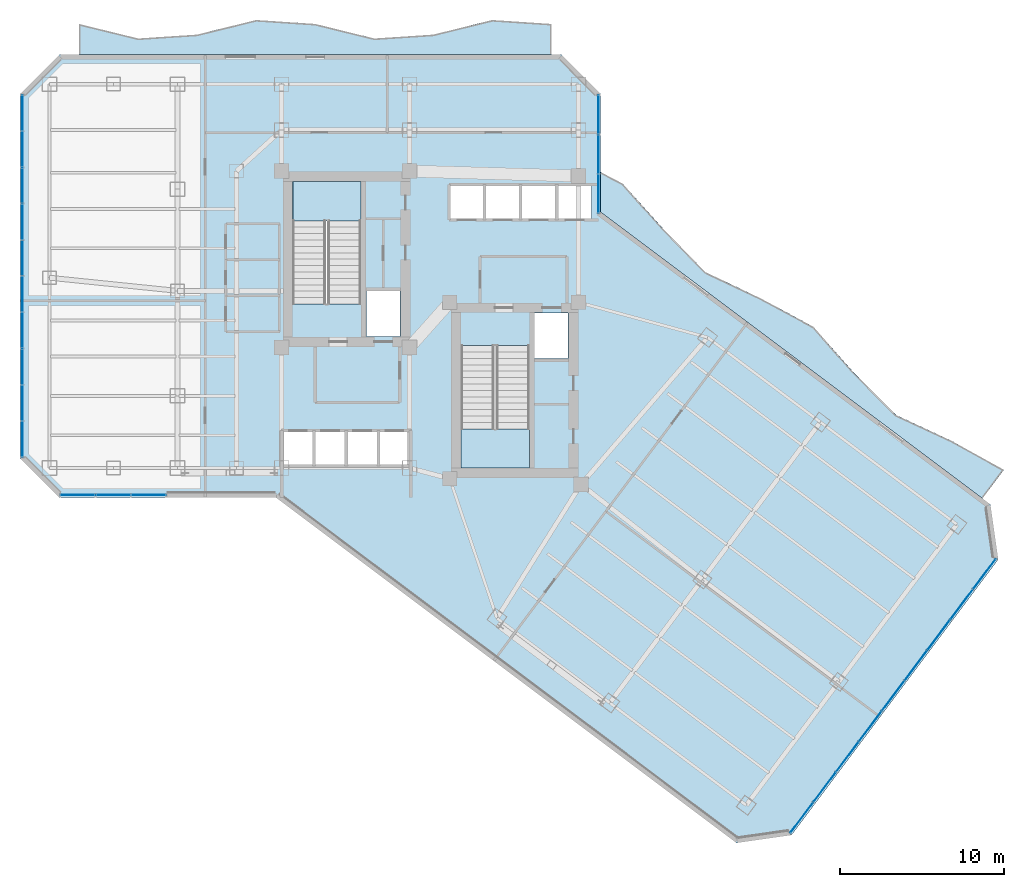
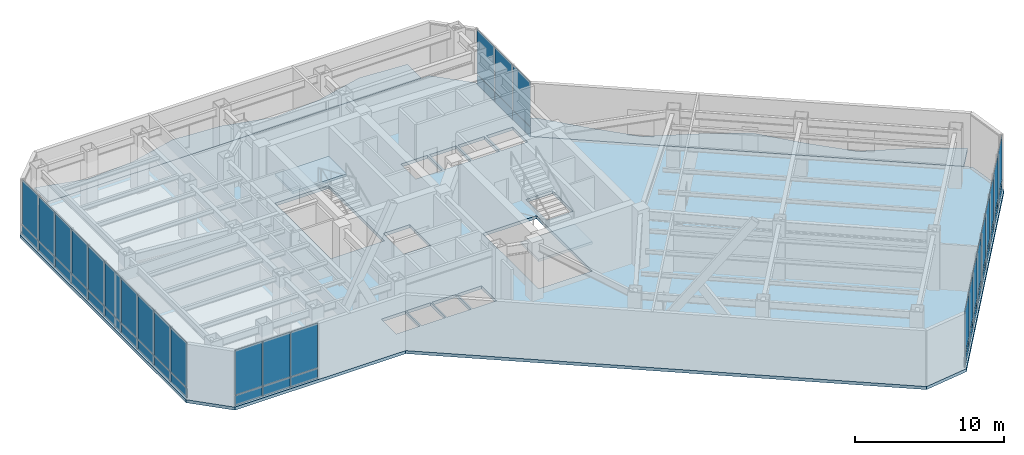
# One storey, part 18 of 27: 50 plates, 5 slabs, 6 elements without a shape of their own.
"""IFC4 building model written with IfcOpenShell, lengths in metres."""

from ifc_helpers import new_model, si_unit, direction, frame, origin, origin_2d, place, context, subcontext, project, spatial, polyline, rectangle, outline, extrude, material, layer, layer_set, type_object, element, aggregate, save


model = new_model("IFC4")

# Units and contexts
model_context = context("Model", 3, precision=1e-05, world=origin(), true_north=direction((0.0, 1.0)))
body_context = subcontext(model_context, "Body", "Model", "MODEL_VIEW")
ifc_project = project(units=[si_unit("LENGTHUNIT", "METRE"), si_unit("AREAUNIT", "SQUARE_METRE"), si_unit("VOLUMEUNIT", "CUBIC_METRE"), si_unit("PLANEANGLEUNIT", "RADIAN"), si_unit("MASSUNIT", "GRAM", prefix="KILO")], contexts=[model_context])

# Site, building, storey
site_placement = place(None, origin())
site = spatial("IfcSite", under=ifc_project, at=site_placement, CompositionType="ELEMENT")
building_placement = place(site_placement, origin())
building = spatial("IfcBuilding", under=site, at=building_placement, Name="Hatsunagi Terrace Concourse", CompositionType="ELEMENT")
storey_placement = place(building_placement, frame((0.0, 0.0, 96.449951171875)))
storey = spatial("IfcBuildingStorey", under=building, at=storey_placement, Name="L25", CompositionType="ELEMENT", Elevation=96.449951171875)

# Curtain wall, plates
ifc_material_1 = material(Name="Anodised Aluminium Alloy 6063-T5", Category="aluminium")
ifc_layer_1 = layer(ifc_material_1, 0.199951171875)
ifc_layer_set_1 = layer_set([ifc_layer_1], Name="SkyLobbyAtrium_CW05")
curtain_wall_type = type_object("IfcCurtainWallType", Name="SkyLobbyAtrium_CW05", PredefinedType="NOTDEFINED", material=ifc_layer_set_1)
curtain_wall_1_placement = place(storey_placement, origin())
curtain_wall_1 = element("IfcCurtainWall", 1, at=curtain_wall_1_placement, inside=storey, type_object=curtain_wall_type, Name="Unitised Curtain Wall CW-05 CW-L25-03", PredefinedType="NOTDEFINED")
ifc_material_2 = material(Name="Warm Terracotta Ceramic Spandrel Panel", Category="masonry")
ifc_layer_2 = layer(ifc_material_2, 0.031982421875)
ifc_layer_set_2 = layer_set([ifc_layer_2], Name="CurtainWallSpandrelPanel_32")
plate_type_1 = type_object("IfcPlateType", Name="CurtainWallSpandrelPanel_32", PredefinedType="SHEET", material=ifc_layer_set_2)
plate_1_placement = place(storey_placement, frame((68.39697265625, 18.72998046875, 0.030029296875), z_axis=(0.0, 0.0, 1.0), x_axis=(-0.599969314634, -0.800023013105, 0.0)))
plate_1 = element("IfcPlate", 2, at=plate_1_placement, type_object=plate_type_1, Name="Terracotta Spandrel Panel SPN-01", PredefinedType="SHEET", context=body_context, shape_type="SweptSolid", body=[
    extrude(rectangle(XDim=2.264892578125, YDim=0.031982421875, at=origin_2d()), origin(), (0.0, 0.0, 1.0), 0.7900390625),
])
plate_2_placement = place(storey_placement, frame((67.0048828125, 16.873046875, 0.030029296875), z_axis=(0.0, 0.0, 1.0), x_axis=(-0.599969314634, -0.800023013105, 0.0)))
plate_2 = element("IfcPlate", 3, at=plate_2_placement, type_object=plate_type_1, Name="Terracotta Spandrel Panel SPN-01", PredefinedType="SHEET", context=body_context, shape_type="SweptSolid", body=[
    extrude(rectangle(XDim=2.264892578125, YDim=0.031982421875, at=origin_2d()), origin(), (0.0, 0.0, 1.0), 0.7900390625),
])
plate_3_placement = place(storey_placement, frame((65.612060546875, 15.01708984375, 0.030029296875), z_axis=(0.0, 0.0, 1.0), x_axis=(-0.599969314634, -0.800023013105, 0.0)))
plate_3 = element("IfcPlate", 4, at=plate_3_placement, type_object=plate_type_1, Name="Terracotta Spandrel Panel SPN-01", PredefinedType="SHEET", context=body_context, shape_type="SweptSolid", body=[
    extrude(rectangle(XDim=2.264892578125, YDim=0.031982421875, at=origin_2d()), origin(), (0.0, 0.0, 1.0), 0.7900390625),
])
plate_4_placement = place(storey_placement, frame((64.219970703125, 13.159912109375, 0.030029296875), z_axis=(0.0, 0.0, 1.0), x_axis=(-0.599969314634, -0.800023013105, 0.0)))
plate_4 = element("IfcPlate", 5, at=plate_4_placement, type_object=plate_type_1, Name="Terracotta Spandrel Panel SPN-01", PredefinedType="SHEET", context=body_context, shape_type="SweptSolid", body=[
    extrude(rectangle(XDim=2.264892578125, YDim=0.031982421875, at=origin_2d()), origin(), (0.0, 0.0, 1.0), 0.7900390625),
])
plate_5_placement = place(storey_placement, frame((62.827880859375, 11.303955078125, 0.030029296875), z_axis=(0.0, 0.0, 1.0), x_axis=(-0.599969314634, -0.800023013105, 0.0)))
plate_5 = element("IfcPlate", 6, at=plate_5_placement, type_object=plate_type_1, Name="Terracotta Spandrel Panel SPN-01", PredefinedType="SHEET", context=body_context, shape_type="SweptSolid", body=[
    extrude(rectangle(XDim=2.264892578125, YDim=0.031982421875, at=origin_2d()), origin(), (0.0, 0.0, 1.0), 0.7900390625),
])
plate_6_placement = place(storey_placement, frame((61.43603515625, 9.447998046875, 0.030029296875), z_axis=(0.0, 0.0, 1.0), x_axis=(-0.599969314634, -0.800023013105, 0.0)))
plate_6 = element("IfcPlate", 7, at=plate_6_placement, type_object=plate_type_1, Name="Terracotta Spandrel Panel SPN-01", PredefinedType="SHEET", context=body_context, shape_type="SweptSolid", body=[
    extrude(rectangle(XDim=2.264892578125, YDim=0.031982421875, at=origin_2d()), origin(), (0.0, 0.0, 1.0), 0.7900390625),
])
plate_7_placement = place(storey_placement, frame((60.0439453125, 7.591064453125, 0.030029296875), z_axis=(0.0, 0.0, 1.0), x_axis=(-0.599969314634, -0.800023013105, 0.0)))
plate_7 = element("IfcPlate", 8, at=plate_7_placement, type_object=plate_type_1, Name="Terracotta Spandrel Panel SPN-01", PredefinedType="SHEET", context=body_context, shape_type="SweptSolid", body=[
    extrude(rectangle(XDim=2.264892578125, YDim=0.031982421875, at=origin_2d()), origin(), (0.0, 0.0, 1.0), 0.7900390625),
])
plate_8_placement = place(storey_placement, frame((58.65087890625, 5.735107421875, 0.030029296875), z_axis=(0.0, 0.0, 1.0), x_axis=(-0.599969314634, -0.800023013105, 0.0)))
plate_8 = element("IfcPlate", 9, at=plate_8_placement, type_object=plate_type_1, Name="Terracotta Spandrel Panel SPN-01", PredefinedType="SHEET", context=body_context, shape_type="SweptSolid", body=[
    extrude(rectangle(XDim=2.264892578125, YDim=0.031982421875, at=origin_2d()), origin(), (0.0, 0.0, 1.0), 0.7900390625),
])
plate_9_placement = place(storey_placement, frame((57.259033203125, 3.8779296875, 0.030029296875), z_axis=(0.0, 0.0, 1.0), x_axis=(-0.599969314634, -0.800023013105, 0.0)))
plate_9 = element("IfcPlate", 10, at=plate_9_placement, type_object=plate_type_1, Name="Terracotta Spandrel Panel SPN-01", PredefinedType="SHEET", context=body_context, shape_type="SweptSolid", body=[
    extrude(rectangle(XDim=2.264892578125, YDim=0.031982421875, at=origin_2d()), origin(), (0.0, 0.0, 1.0), 0.7900390625),
])

curtain_wall_2_placement = place(storey_placement, origin())
curtain_wall_2 = element("IfcCurtainWall", 11, at=curtain_wall_2_placement, inside=storey, type_object=curtain_wall_type, Name="Unitised Curtain Wall CW-05 CW-L25-07", PredefinedType="NOTDEFINED")
plate_10_placement = place(storey_placement, frame((17.426025390625, 23.5400390625, 0.030029296875), z_axis=(0.0, 0.0, 1.0), x_axis=(-1.0, 0.0, 0.0)))
plate_10 = element("IfcPlate", 12, at=plate_10_placement, type_object=plate_type_1, Name="Terracotta Spandrel Panel SPN-01", PredefinedType="SHEET", context=body_context, shape_type="SweptSolid", body=[
    extrude(rectangle(XDim=2.092041015625, YDim=0.031982421875, at=origin_2d()), origin(), (0.0, 0.0, 1.0), 0.7900390625),
])
plate_11_placement = place(storey_placement, frame((15.279052734375, 23.5400390625, 0.030029296875), z_axis=(0.0, 0.0, 1.0), x_axis=(-1.0, 0.0, 0.0)))
plate_11 = element("IfcPlate", 13, at=plate_11_placement, type_object=plate_type_1, Name="Terracotta Spandrel Panel SPN-01", PredefinedType="SHEET", context=body_context, shape_type="SweptSolid", body=[
    extrude(rectangle(XDim=2.092041015625, YDim=0.031982421875, at=origin_2d()), origin(), (0.0, 0.0, 1.0), 0.7900390625),
])
plate_12_placement = place(storey_placement, frame((13.132080078125, 23.5400390625, 0.030029296875), z_axis=(0.0, 0.0, 1.0), x_axis=(-1.0, 0.0, 0.0)))
plate_12 = element("IfcPlate", 14, at=plate_12_placement, type_object=plate_type_1, Name="Terracotta Spandrel Panel SPN-01", PredefinedType="SHEET", context=body_context, shape_type="SweptSolid", body=[
    extrude(rectangle(XDim=2.092041015625, YDim=0.031982421875, at=origin_2d()), origin(), (0.0, 0.0, 1.0), 0.7900390625),
])

curtain_wall_3_placement = place(storey_placement, origin())
curtain_wall_3 = element("IfcCurtainWall", 15, at=curtain_wall_3_placement, inside=storey, type_object=curtain_wall_type, Name="Unitised Curtain Wall CW-05 CW-L25-09", PredefinedType="NOTDEFINED")
plate_13_placement = place(storey_placement, frame((9.739990234375, 26.9619140625, 0.030029296875), z_axis=(0.0, 0.0, 1.0), x_axis=(0.0, 1.0, 0.0)))
plate_13 = element("IfcPlate", 16, at=plate_13_placement, type_object=plate_type_1, Name="Terracotta Spandrel Panel SPN-01", PredefinedType="SHEET", context=body_context, shape_type="SweptSolid", body=[
    extrude(rectangle(XDim=2.153076171875, YDim=0.031982421875, at=origin_2d()), origin(), (0.0, 0.0, 1.0), 0.7900390625),
])
plate_14_placement = place(storey_placement, frame((9.739990234375, 29.1708984375, 0.030029296875), z_axis=(0.0, 0.0, 1.0), x_axis=(0.0, 1.0, 0.0)))
plate_14 = element("IfcPlate", 17, at=plate_14_placement, type_object=plate_type_1, Name="Terracotta Spandrel Panel SPN-01", PredefinedType="SHEET", context=body_context, shape_type="SweptSolid", body=[
    extrude(rectangle(XDim=2.153076171875, YDim=0.031982421875, at=origin_2d()), origin(), (0.0, 0.0, 1.0), 0.7900390625),
])
plate_15_placement = place(storey_placement, frame((9.739990234375, 31.37890625, 0.030029296875), z_axis=(0.0, 0.0, 1.0), x_axis=(0.0, 1.0, 0.0)))
plate_15 = element("IfcPlate", 18, at=plate_15_placement, type_object=plate_type_1, Name="Terracotta Spandrel Panel SPN-01", PredefinedType="SHEET", context=body_context, shape_type="SweptSolid", body=[
    extrude(rectangle(XDim=2.153076171875, YDim=0.031982421875, at=origin_2d()), origin(), (0.0, 0.0, 1.0), 0.7900390625),
])
plate_16_placement = place(storey_placement, frame((9.739990234375, 33.5869140625, 0.030029296875), z_axis=(0.0, 0.0, 1.0), x_axis=(0.0, 1.0, 0.0)))
plate_16 = element("IfcPlate", 19, at=plate_16_placement, type_object=plate_type_1, Name="Terracotta Spandrel Panel SPN-01", PredefinedType="SHEET", context=body_context, shape_type="SweptSolid", body=[
    extrude(rectangle(XDim=2.153076171875, YDim=0.031982421875, at=origin_2d()), origin(), (0.0, 0.0, 1.0), 0.7900390625),
])
plate_17_placement = place(storey_placement, frame((9.739990234375, 35.7958984375, 0.030029296875), z_axis=(0.0, 0.0, 1.0), x_axis=(0.0, 1.0, 0.0)))
plate_17 = element("IfcPlate", 20, at=plate_17_placement, type_object=plate_type_1, Name="Terracotta Spandrel Panel SPN-01", PredefinedType="SHEET", context=body_context, shape_type="SweptSolid", body=[
    extrude(rectangle(XDim=2.153076171875, YDim=0.031982421875, at=origin_2d()), origin(), (0.0, 0.0, 1.0), 0.7900390625),
])
plate_18_placement = place(storey_placement, frame((9.739990234375, 38.00390625, 0.030029296875), z_axis=(0.0, 0.0, 1.0), x_axis=(0.0, 1.0, 0.0)))
plate_18 = element("IfcPlate", 21, at=plate_18_placement, type_object=plate_type_1, Name="Terracotta Spandrel Panel SPN-01", PredefinedType="SHEET", context=body_context, shape_type="SweptSolid", body=[
    extrude(rectangle(XDim=2.153076171875, YDim=0.031982421875, at=origin_2d()), origin(), (0.0, 0.0, 1.0), 0.7900390625),
])
plate_19_placement = place(storey_placement, frame((9.739990234375, 40.212890625, 0.030029296875), z_axis=(0.0, 0.0, 1.0), x_axis=(0.0, 1.0, 0.0)))
plate_19 = element("IfcPlate", 22, at=plate_19_placement, type_object=plate_type_1, Name="Terracotta Spandrel Panel SPN-01", PredefinedType="SHEET", context=body_context, shape_type="SweptSolid", body=[
    extrude(rectangle(XDim=2.153076171875, YDim=0.031982421875, at=origin_2d()), origin(), (0.0, 0.0, 1.0), 0.7900390625),
])
plate_20_placement = place(storey_placement, frame((9.739990234375, 42.4208984375, 0.030029296875), z_axis=(0.0, 0.0, 1.0), x_axis=(0.0, 1.0, 0.0)))
plate_20 = element("IfcPlate", 23, at=plate_20_placement, type_object=plate_type_1, Name="Terracotta Spandrel Panel SPN-01", PredefinedType="SHEET", context=body_context, shape_type="SweptSolid", body=[
    extrude(rectangle(XDim=2.153076171875, YDim=0.031982421875, at=origin_2d()), origin(), (0.0, 0.0, 1.0), 0.7900390625),
])
plate_21_placement = place(storey_placement, frame((9.739990234375, 44.62890625, 0.030029296875), z_axis=(0.0, 0.0, 1.0), x_axis=(0.0, 1.0, 0.0)))
plate_21 = element("IfcPlate", 24, at=plate_21_placement, type_object=plate_type_1, Name="Terracotta Spandrel Panel SPN-01", PredefinedType="SHEET", context=body_context, shape_type="SweptSolid", body=[
    extrude(rectangle(XDim=2.153076171875, YDim=0.031982421875, at=origin_2d()), origin(), (0.0, 0.0, 1.0), 0.7900390625),
])
plate_22_placement = place(storey_placement, frame((9.739990234375, 46.837890625, 0.030029296875), z_axis=(0.0, 0.0, 1.0), x_axis=(0.0, 1.0, 0.0)))
plate_22 = element("IfcPlate", 25, at=plate_22_placement, type_object=plate_type_1, Name="Terracotta Spandrel Panel SPN-01", PredefinedType="SHEET", context=body_context, shape_type="SweptSolid", body=[
    extrude(rectangle(XDim=2.153076171875, YDim=0.031982421875, at=origin_2d()), origin(), (0.0, 0.0, 1.0), 0.7900390625),
])

curtain_wall_4_placement = place(storey_placement, origin())
curtain_wall_4 = element("IfcCurtainWall", 26, at=curtain_wall_4_placement, inside=storey, type_object=curtain_wall_type, Name="Unitised Curtain Wall CW-05 CW-L25-13", PredefinedType="NOTDEFINED")
plate_23_placement = place(storey_placement, frame((44.860107421875, 46.739990234375, 0.030029296875), z_axis=(0.0, 0.0, 1.0), x_axis=(0.0, -1.0, 0.0)))
plate_23 = element("IfcPlate", 27, at=plate_23_placement, type_object=plate_type_1, Name="Terracotta Spandrel Panel SPN-01", PredefinedType="SHEET", context=body_context, shape_type="SweptSolid", body=[
    extrude(rectangle(XDim=2.34912109375, YDim=0.031982421875, at=origin_2d()), origin(), (0.0, 0.0, 1.0), 0.7900390625),
])
plate_24_placement = place(storey_placement, frame((44.860107421875, 44.3359375, 0.030029296875), z_axis=(0.0, 0.0, 1.0), x_axis=(0.0, -1.0, 0.0)))
plate_24 = element("IfcPlate", 28, at=plate_24_placement, type_object=plate_type_1, Name="Terracotta Spandrel Panel SPN-01", PredefinedType="SHEET", context=body_context, shape_type="SweptSolid", body=[
    extrude(rectangle(XDim=2.34912109375, YDim=0.031982421875, at=origin_2d()), origin(), (0.0, 0.0, 1.0), 0.7900390625),
])
plate_25_placement = place(storey_placement, frame((44.860107421875, 41.931884765625, 0.030029296875), z_axis=(0.0, 0.0, 1.0), x_axis=(0.0, -1.0, 0.0)))
plate_25 = element("IfcPlate", 29, at=plate_25_placement, type_object=plate_type_1, Name="Terracotta Spandrel Panel SPN-01", PredefinedType="SHEET", context=body_context, shape_type="SweptSolid", body=[
    extrude(rectangle(XDim=2.34912109375, YDim=0.031982421875, at=origin_2d()), origin(), (0.0, 0.0, 1.0), 0.7900390625),
])

# Plate
ifc_material_3 = material(Name="Low-E Double Insulating Glass 28mm", Category="glass")
ifc_layer_3 = layer(ifc_material_3, 0.028076171875)
ifc_layer_set_3 = layer_set([ifc_layer_3], Name="CurtainWallVisionGlass_28")
plate_type_2 = type_object("IfcPlateType", Name="CurtainWallVisionGlass_28", PredefinedType="CURTAIN_PANEL", material=ifc_layer_set_3)
plate_26_placement = place(storey_placement, frame((68.39697265625, 18.72998046875, 0.8798828125), z_axis=(0.0, 0.0, 1.0), x_axis=(-0.599969314634, -0.800023013105, 0.0)))
plate_26 = element("IfcPlate", 30, at=plate_26_placement, type_object=plate_type_2, Name="Low-E Vision Glass Panel GLZ-01", PredefinedType="CURTAIN_PANEL", context=body_context, shape_type="SweptSolid", body=[
    extrude(rectangle(XDim=2.264892578125, YDim=0.028076171875, at=origin_2d()), origin(), (0.0, 0.0, 1.0), 3.639892578125),
])

plate_27_placement = place(storey_placement, frame((67.0048828125, 16.873046875, 0.8798828125), z_axis=(0.0, 0.0, 1.0), x_axis=(-0.599969314634, -0.800023013105, 0.0)))
plate_27 = element("IfcPlate", 31, at=plate_27_placement, type_object=plate_type_2, Name="Low-E Vision Glass Panel GLZ-01", PredefinedType="CURTAIN_PANEL", context=body_context, shape_type="SweptSolid", body=[
    extrude(rectangle(XDim=2.264892578125, YDim=0.028076171875, at=origin_2d()), origin(), (0.0, 0.0, 1.0), 3.639892578125),
])

plate_28_placement = place(storey_placement, frame((65.612060546875, 15.01708984375, 0.8798828125), z_axis=(0.0, 0.0, 1.0), x_axis=(-0.599969314634, -0.800023013105, 0.0)))
plate_28 = element("IfcPlate", 32, at=plate_28_placement, type_object=plate_type_2, Name="Low-E Vision Glass Panel GLZ-01", PredefinedType="CURTAIN_PANEL", context=body_context, shape_type="SweptSolid", body=[
    extrude(rectangle(XDim=2.264892578125, YDim=0.028076171875, at=origin_2d()), origin(), (0.0, 0.0, 1.0), 3.639892578125),
])

plate_29_placement = place(storey_placement, frame((64.219970703125, 13.159912109375, 0.8798828125), z_axis=(0.0, 0.0, 1.0), x_axis=(-0.599969314634, -0.800023013105, 0.0)))
plate_29 = element("IfcPlate", 33, at=plate_29_placement, type_object=plate_type_2, Name="Low-E Vision Glass Panel GLZ-01", PredefinedType="CURTAIN_PANEL", context=body_context, shape_type="SweptSolid", body=[
    extrude(rectangle(XDim=2.264892578125, YDim=0.028076171875, at=origin_2d()), origin(), (0.0, 0.0, 1.0), 3.639892578125),
])

plate_30_placement = place(storey_placement, frame((62.827880859375, 11.303955078125, 0.8798828125), z_axis=(0.0, 0.0, 1.0), x_axis=(-0.599969314634, -0.800023013105, 0.0)))
plate_30 = element("IfcPlate", 34, at=plate_30_placement, type_object=plate_type_2, Name="Low-E Vision Glass Panel GLZ-01", PredefinedType="CURTAIN_PANEL", context=body_context, shape_type="SweptSolid", body=[
    extrude(rectangle(XDim=2.264892578125, YDim=0.028076171875, at=origin_2d()), origin(), (0.0, 0.0, 1.0), 3.639892578125),
])

plate_31_placement = place(storey_placement, frame((61.43603515625, 9.447998046875, 0.8798828125), z_axis=(0.0, 0.0, 1.0), x_axis=(-0.599969314634, -0.800023013105, 0.0)))
plate_31 = element("IfcPlate", 35, at=plate_31_placement, type_object=plate_type_2, Name="Low-E Vision Glass Panel GLZ-01", PredefinedType="CURTAIN_PANEL", context=body_context, shape_type="SweptSolid", body=[
    extrude(rectangle(XDim=2.264892578125, YDim=0.028076171875, at=origin_2d()), origin(), (0.0, 0.0, 1.0), 3.639892578125),
])

plate_32_placement = place(storey_placement, frame((60.0439453125, 7.591064453125, 0.8798828125), z_axis=(0.0, 0.0, 1.0), x_axis=(-0.599969314634, -0.800023013105, 0.0)))
plate_32 = element("IfcPlate", 36, at=plate_32_placement, type_object=plate_type_2, Name="Low-E Vision Glass Panel GLZ-01", PredefinedType="CURTAIN_PANEL", context=body_context, shape_type="SweptSolid", body=[
    extrude(rectangle(XDim=2.264892578125, YDim=0.028076171875, at=origin_2d()), origin(), (0.0, 0.0, 1.0), 3.639892578125),
])

plate_33_placement = place(storey_placement, frame((58.65087890625, 5.735107421875, 0.8798828125), z_axis=(0.0, 0.0, 1.0), x_axis=(-0.599969314634, -0.800023013105, 0.0)))
plate_33 = element("IfcPlate", 37, at=plate_33_placement, type_object=plate_type_2, Name="Low-E Vision Glass Panel GLZ-01", PredefinedType="CURTAIN_PANEL", context=body_context, shape_type="SweptSolid", body=[
    extrude(rectangle(XDim=2.264892578125, YDim=0.028076171875, at=origin_2d()), origin(), (0.0, 0.0, 1.0), 3.639892578125),
])

plate_34_placement = place(storey_placement, frame((57.259033203125, 3.8779296875, 0.8798828125), z_axis=(0.0, 0.0, 1.0), x_axis=(-0.599969314634, -0.800023013105, 0.0)))
plate_34 = element("IfcPlate", 38, at=plate_34_placement, type_object=plate_type_2, Name="Low-E Vision Glass Panel GLZ-01", PredefinedType="CURTAIN_PANEL", context=body_context, shape_type="SweptSolid", body=[
    extrude(rectangle(XDim=2.264892578125, YDim=0.028076171875, at=origin_2d()), origin(), (0.0, 0.0, 1.0), 3.639892578125),
])

aggregate(curtain_wall_1, [plate_1, plate_26, plate_2, plate_27, plate_3, plate_28, plate_4, plate_29, plate_5, plate_30, plate_6, plate_31, plate_7, plate_32, plate_8, plate_33, plate_9, plate_34])

plate_35_placement = place(storey_placement, frame((17.426025390625, 23.5400390625, 0.8798828125), z_axis=(0.0, 0.0, 1.0), x_axis=(-1.0, 0.0, 0.0)))
plate_35 = element("IfcPlate", 39, at=plate_35_placement, type_object=plate_type_2, Name="Low-E Vision Glass Panel GLZ-01", PredefinedType="CURTAIN_PANEL", context=body_context, shape_type="SweptSolid", body=[
    extrude(rectangle(XDim=2.092041015625, YDim=0.028076171875, at=origin_2d()), origin(), (0.0, 0.0, 1.0), 3.639892578125),
])

plate_36_placement = place(storey_placement, frame((15.279052734375, 23.5400390625, 0.8798828125), z_axis=(0.0, 0.0, 1.0), x_axis=(-1.0, 0.0, 0.0)))
plate_36 = element("IfcPlate", 40, at=plate_36_placement, type_object=plate_type_2, Name="Low-E Vision Glass Panel GLZ-01", PredefinedType="CURTAIN_PANEL", context=body_context, shape_type="SweptSolid", body=[
    extrude(rectangle(XDim=2.092041015625, YDim=0.028076171875, at=origin_2d()), origin(), (0.0, 0.0, 1.0), 3.639892578125),
])

plate_37_placement = place(storey_placement, frame((13.132080078125, 23.5400390625, 0.8798828125), z_axis=(0.0, 0.0, 1.0), x_axis=(-1.0, 0.0, 0.0)))
plate_37 = element("IfcPlate", 41, at=plate_37_placement, type_object=plate_type_2, Name="Low-E Vision Glass Panel GLZ-01", PredefinedType="CURTAIN_PANEL", context=body_context, shape_type="SweptSolid", body=[
    extrude(rectangle(XDim=2.092041015625, YDim=0.028076171875, at=origin_2d()), origin(), (0.0, 0.0, 1.0), 3.639892578125),
])

aggregate(curtain_wall_2, [plate_10, plate_35, plate_11, plate_36, plate_12, plate_37])

plate_38_placement = place(storey_placement, frame((9.739990234375, 26.9619140625, 0.8798828125), z_axis=(0.0, 0.0, 1.0), x_axis=(0.0, 1.0, 0.0)))
plate_38 = element("IfcPlate", 42, at=plate_38_placement, type_object=plate_type_2, Name="Low-E Vision Glass Panel GLZ-01", PredefinedType="CURTAIN_PANEL", context=body_context, shape_type="SweptSolid", body=[
    extrude(rectangle(XDim=2.153076171875, YDim=0.028076171875, at=origin_2d()), origin(), (0.0, 0.0, 1.0), 3.639892578125),
])

plate_39_placement = place(storey_placement, frame((9.739990234375, 29.1708984375, 0.8798828125), z_axis=(0.0, 0.0, 1.0), x_axis=(0.0, 1.0, 0.0)))
plate_39 = element("IfcPlate", 43, at=plate_39_placement, type_object=plate_type_2, Name="Low-E Vision Glass Panel GLZ-01", PredefinedType="CURTAIN_PANEL", context=body_context, shape_type="SweptSolid", body=[
    extrude(rectangle(XDim=2.153076171875, YDim=0.028076171875, at=origin_2d()), origin(), (0.0, 0.0, 1.0), 3.639892578125),
])

plate_40_placement = place(storey_placement, frame((9.739990234375, 31.37890625, 0.8798828125), z_axis=(0.0, 0.0, 1.0), x_axis=(0.0, 1.0, 0.0)))
plate_40 = element("IfcPlate", 44, at=plate_40_placement, type_object=plate_type_2, Name="Low-E Vision Glass Panel GLZ-01", PredefinedType="CURTAIN_PANEL", context=body_context, shape_type="SweptSolid", body=[
    extrude(rectangle(XDim=2.153076171875, YDim=0.028076171875, at=origin_2d()), origin(), (0.0, 0.0, 1.0), 3.639892578125),
])

plate_41_placement = place(storey_placement, frame((9.739990234375, 33.5869140625, 0.8798828125), z_axis=(0.0, 0.0, 1.0), x_axis=(0.0, 1.0, 0.0)))
plate_41 = element("IfcPlate", 45, at=plate_41_placement, type_object=plate_type_2, Name="Low-E Vision Glass Panel GLZ-01", PredefinedType="CURTAIN_PANEL", context=body_context, shape_type="SweptSolid", body=[
    extrude(rectangle(XDim=2.153076171875, YDim=0.028076171875, at=origin_2d()), origin(), (0.0, 0.0, 1.0), 3.639892578125),
])

plate_42_placement = place(storey_placement, frame((9.739990234375, 35.7958984375, 0.8798828125), z_axis=(0.0, 0.0, 1.0), x_axis=(0.0, 1.0, 0.0)))
plate_42 = element("IfcPlate", 46, at=plate_42_placement, type_object=plate_type_2, Name="Low-E Vision Glass Panel GLZ-01", PredefinedType="CURTAIN_PANEL", context=body_context, shape_type="SweptSolid", body=[
    extrude(rectangle(XDim=2.153076171875, YDim=0.028076171875, at=origin_2d()), origin(), (0.0, 0.0, 1.0), 3.639892578125),
])

plate_43_placement = place(storey_placement, frame((9.739990234375, 38.00390625, 0.8798828125), z_axis=(0.0, 0.0, 1.0), x_axis=(0.0, 1.0, 0.0)))
plate_43 = element("IfcPlate", 47, at=plate_43_placement, type_object=plate_type_2, Name="Low-E Vision Glass Panel GLZ-01", PredefinedType="CURTAIN_PANEL", context=body_context, shape_type="SweptSolid", body=[
    extrude(rectangle(XDim=2.153076171875, YDim=0.028076171875, at=origin_2d()), origin(), (0.0, 0.0, 1.0), 3.639892578125),
])

plate_44_placement = place(storey_placement, frame((9.739990234375, 40.212890625, 0.8798828125), z_axis=(0.0, 0.0, 1.0), x_axis=(0.0, 1.0, 0.0)))
plate_44 = element("IfcPlate", 48, at=plate_44_placement, type_object=plate_type_2, Name="Low-E Vision Glass Panel GLZ-01", PredefinedType="CURTAIN_PANEL", context=body_context, shape_type="SweptSolid", body=[
    extrude(rectangle(XDim=2.153076171875, YDim=0.028076171875, at=origin_2d()), origin(), (0.0, 0.0, 1.0), 3.639892578125),
])

plate_45_placement = place(storey_placement, frame((9.739990234375, 42.4208984375, 0.8798828125), z_axis=(0.0, 0.0, 1.0), x_axis=(0.0, 1.0, 0.0)))
plate_45 = element("IfcPlate", 49, at=plate_45_placement, type_object=plate_type_2, Name="Low-E Vision Glass Panel GLZ-01", PredefinedType="CURTAIN_PANEL", context=body_context, shape_type="SweptSolid", body=[
    extrude(rectangle(XDim=2.153076171875, YDim=0.028076171875, at=origin_2d()), origin(), (0.0, 0.0, 1.0), 3.639892578125),
])

plate_46_placement = place(storey_placement, frame((9.739990234375, 44.62890625, 0.8798828125), z_axis=(0.0, 0.0, 1.0), x_axis=(0.0, 1.0, 0.0)))
plate_46 = element("IfcPlate", 50, at=plate_46_placement, type_object=plate_type_2, Name="Low-E Vision Glass Panel GLZ-01", PredefinedType="CURTAIN_PANEL", context=body_context, shape_type="SweptSolid", body=[
    extrude(rectangle(XDim=2.153076171875, YDim=0.028076171875, at=origin_2d()), origin(), (0.0, 0.0, 1.0), 3.639892578125),
])

plate_47_placement = place(storey_placement, frame((9.739990234375, 46.837890625, 0.8798828125), z_axis=(0.0, 0.0, 1.0), x_axis=(0.0, 1.0, 0.0)))
plate_47 = element("IfcPlate", 51, at=plate_47_placement, type_object=plate_type_2, Name="Low-E Vision Glass Panel GLZ-01", PredefinedType="CURTAIN_PANEL", context=body_context, shape_type="SweptSolid", body=[
    extrude(rectangle(XDim=2.153076171875, YDim=0.028076171875, at=origin_2d()), origin(), (0.0, 0.0, 1.0), 3.639892578125),
])

aggregate(curtain_wall_3, [plate_13, plate_38, plate_14, plate_39, plate_15, plate_40, plate_16, plate_41, plate_17, plate_42, plate_18, plate_43, plate_19, plate_44, plate_20, plate_45, plate_21, plate_46, plate_22, plate_47])

plate_48_placement = place(storey_placement, frame((44.860107421875, 46.739990234375, 0.8798828125), z_axis=(0.0, 0.0, 1.0), x_axis=(0.0, -1.0, 0.0)))
plate_48 = element("IfcPlate", 52, at=plate_48_placement, type_object=plate_type_2, Name="Low-E Vision Glass Panel GLZ-01", PredefinedType="CURTAIN_PANEL", context=body_context, shape_type="SweptSolid", body=[
    extrude(rectangle(XDim=2.34912109375, YDim=0.028076171875, at=origin_2d()), origin(), (0.0, 0.0, 1.0), 3.639892578125),
])

plate_49_placement = place(storey_placement, frame((44.860107421875, 44.3359375, 0.8798828125), z_axis=(0.0, 0.0, 1.0), x_axis=(0.0, -1.0, 0.0)))
plate_49 = element("IfcPlate", 53, at=plate_49_placement, type_object=plate_type_2, Name="Low-E Vision Glass Panel GLZ-01", PredefinedType="CURTAIN_PANEL", context=body_context, shape_type="SweptSolid", body=[
    extrude(rectangle(XDim=2.34912109375, YDim=0.028076171875, at=origin_2d()), origin(), (0.0, 0.0, 1.0), 3.639892578125),
])

plate_50_placement = place(storey_placement, frame((44.860107421875, 41.931884765625, 0.8798828125), z_axis=(0.0, 0.0, 1.0), x_axis=(0.0, -1.0, 0.0)))
plate_50 = element("IfcPlate", 54, at=plate_50_placement, type_object=plate_type_2, Name="Low-E Vision Glass Panel GLZ-01", PredefinedType="CURTAIN_PANEL", context=body_context, shape_type="SweptSolid", body=[
    extrude(rectangle(XDim=2.34912109375, YDim=0.028076171875, at=origin_2d()), origin(), (0.0, 0.0, 1.0), 3.639892578125),
])

aggregate(curtain_wall_4, [plate_23, plate_48, plate_24, plate_49, plate_25, plate_50])

# Stair, slab
ifc_material_4 = material(Name="Concrete Fc42", Category="concrete")
stair_type = type_object("IfcStairType", Name="DoglegExitStair_Tower2000_28R_171", PredefinedType="HALF_TURN_STAIR", material=ifc_material_4)
stair_1_placement = place(storey_placement, origin())
stair_1 = element("IfcStair", 55, at=stair_1_placement, inside=storey, type_object=stair_type, Name="L25 Core A Protected Exit Stair ST-A", PredefinedType="HALF_TURN_STAIR")
ifc_material_5 = material(Name="Concrete Fc42", Category="concrete")
ifc_layer_4 = layer(ifc_material_5, 0.199951171875)
ifc_layer_set_4 = layer_set([ifc_layer_4], Name="DoglegStairLanding_Tower2000")
slab_type_1 = type_object("IfcSlabType", Name="DoglegStairLanding_Tower2000", PredefinedType="LANDING", material=ifc_layer_set_4)
slab_1_placement = place(storey_placement, frame((0.0, 0.0, 2.199951171875)))
slab_1 = element("IfcSlab", 56, at=slab_1_placement, type_object=slab_type_1, Name="ST-A landing 1", PredefinedType="LANDING", context=body_context, shape_type="SweptSolid", body=[
    extrude(outline(polyline([(30.3798828125, 40.27001953125), (30.3798828125, 42.659912109375), (26.22998046875, 42.659912109375), (26.22998046875, 40.27001953125), (30.3798828125, 40.27001953125)])), origin(), (0.0, 0.0, 1.0), 0.2001953125),
])
aggregate(stair_1, [slab_1])

stair_2_placement = place(storey_placement, origin())
stair_2 = element("IfcStair", 57, at=stair_2_placement, inside=storey, type_object=stair_type, Name="L25 Core B Protected Exit Stair ST-B", PredefinedType="HALF_TURN_STAIR")
slab_2_placement = place(storey_placement, frame((0.0, 0.0, 2.199951171875)))
slab_2 = element("IfcSlab", 58, at=slab_2_placement, type_object=slab_type_1, Name="ST-B landing 1", PredefinedType="LANDING", context=body_context, shape_type="SweptSolid", body=[
    extrude(outline(polyline([(36.5, 27.590087890625), (36.5, 25.199951171875), (40.64990234375, 25.199951171875), (40.64990234375, 27.590087890625), (36.5, 27.590087890625)])), origin(), (0.0, 0.0, 1.0), 0.2001953125),
])
aggregate(stair_2, [slab_2])

# Slabs
ifc_material_6 = material(Name="Concrete Fc42", Category="concrete")
ifc_layer_5 = layer(ifc_material_6, 0.199951171875)
ifc_layer_set_5 = layer_set([ifc_layer_5], Name="EngawaBalconySlab_Fc42_200")
slab_type_2 = type_object("IfcSlabType", Name="EngawaBalconySlab_Fc42_200", PredefinedType="FLOOR", material=ifc_layer_set_5)
slab_3_placement = place(storey_placement, frame((0.0, 0.0, -0.199951171875)))
element("IfcSlab", 59, at=slab_3_placement, inside=storey, type_object=slab_type_2, Name="Engawa Balcony Slab BAL-L25-BN", PredefinedType="FLOOR", context=body_context, shape_type="SweptSolid", body=[
    extrude(outline(polyline([(13.199951171875, 52.27490234375), (13.199951171875, 50.39990234375), (42.0, 50.39990234375), (42.0, 52.27490234375), (38.39990234375, 52.512939453125), (34.800048828125, 51.625), (31.199951171875, 51.386962890625), (27.60009765625, 52.27490234375), (24.0, 52.512939453125), (20.39990234375, 51.625), (16.800048828125, 51.386962890625), (13.199951171875, 52.27490234375)])), origin(), (0.0, 0.0, 1.0), 0.199951171875),
])
slab_4_placement = place(storey_placement, frame((0.0, 0.0, -0.199951171875)))
element("IfcSlab", 60, at=slab_4_placement, inside=storey, type_object=slab_type_2, Name="Engawa Balcony Slab BAL-L25-BSE", PredefinedType="FLOOR", context=body_context, shape_type="SweptSolid", body=[
    extrude(outline(polyline([(46.344970703125, 42.537109375), (44.99609375, 43.243896484375), (44.99609375, 40.802978515625), (68.280029296875, 23.340087890625), (69.591064453125, 25.087890625), (66.382080078125, 26.864990234375), (63.013916015625, 28.428955078125), (60.422119140625, 31.030029296875), (57.968017578125, 33.81298828125), (54.73291015625, 35.554931640625), (51.383056640625, 37.14404296875), (48.818115234375, 39.780029296875), (46.344970703125, 42.537109375)])), origin(), (0.0, 0.0, 1.0), 0.199951171875),
])
ifc_material_7 = material(Name="Concrete Fc42", Category="concrete")
ifc_layer_6 = layer(ifc_material_7, 0.25)
ifc_layer_set_6 = layer_set([ifc_layer_6], Name="OfficeCrownSlab_Fc42_250")
slab_type_3 = type_object("IfcSlabType", Name="OfficeCrownSlab_Fc42_250", PredefinedType="FLOOR", material=ifc_layer_set_6)
slab_5_placement = place(storey_placement, frame((0.0, 0.0, -0.25)))
element("IfcSlab", 61, at=slab_5_placement, inside=storey, type_object=slab_type_3, Name="Floor Slab SL-250 L25", PredefinedType="FLOOR", context=body_context, shape_type="SweptSolid", body=[
    extrude(outline(polyline([(45.0, 40.800048828125), (45.0, 48.0), (42.60009765625, 50.39990234375), (12.0, 50.39990234375), (9.60009765625, 48.0), (9.60009765625, 25.800048828125), (12.0, 23.39990234375), (25.199951171875, 23.39990234375), (53.280029296875, 2.340087890625), (56.639892578125, 2.820068359375), (69.239990234375, 19.6201171875), (68.760009765625, 22.97998046875), (45.0, 40.800048828125)]), holes=[polyline([(26.22998046875, 35.205078125), (30.3798828125, 35.205078125), (30.3798828125, 42.659912109375), (26.22998046875, 42.659912109375), (26.22998046875, 35.205078125)]), polyline([(36.5, 25.199951171875), (40.64990234375, 25.199951171875), (40.64990234375, 32.655029296875), (36.5, 32.655029296875), (36.5, 25.199951171875)]), polyline([(30.719970703125, 33.219970703125), (32.780029296875, 33.219970703125), (32.780029296875, 35.97998046875), (30.719970703125, 35.97998046875), (30.719970703125, 33.219970703125)]), polyline([(40.97998046875, 31.8798828125), (43.02001953125, 31.8798828125), (43.02001953125, 34.639892578125), (40.97998046875, 34.639892578125), (40.97998046875, 31.8798828125)]), polyline([(25.6201171875, 25.39990234375), (27.47998046875, 25.39990234375), (27.47998046875, 27.39990234375), (25.6201171875, 27.39990234375), (25.6201171875, 25.39990234375)]), polyline([(27.580078125, 25.39990234375), (29.43994140625, 25.39990234375), (29.43994140625, 27.39990234375), (27.580078125, 27.39990234375), (27.580078125, 25.39990234375)]), polyline([(29.5400390625, 25.39990234375), (31.39990234375, 25.39990234375), (31.39990234375, 27.39990234375), (29.5400390625, 27.39990234375), (29.5400390625, 25.39990234375)]), polyline([(31.5, 25.39990234375), (33.360107421875, 25.39990234375), (33.360107421875, 27.39990234375), (31.5, 27.39990234375), (31.5, 25.39990234375)]), polyline([(35.800048828125, 40.39990234375), (37.85009765625, 40.39990234375), (37.85009765625, 42.39990234375), (35.800048828125, 42.39990234375), (35.800048828125, 40.39990234375)]), polyline([(38.0, 40.39990234375), (40.050048828125, 40.39990234375), (40.050048828125, 42.39990234375), (38.0, 42.39990234375), (38.0, 40.39990234375)]), polyline([(40.199951171875, 40.39990234375), (42.25, 40.39990234375), (42.25, 42.39990234375), (40.199951171875, 42.39990234375), (40.199951171875, 40.39990234375)]), polyline([(42.39990234375, 40.39990234375), (44.449951171875, 40.39990234375), (44.449951171875, 42.39990234375), (42.39990234375, 42.39990234375), (42.39990234375, 40.39990234375)])]), origin(), (0.0, 0.0, 1.0), 0.25),
])

save(model, "model.ifc")
